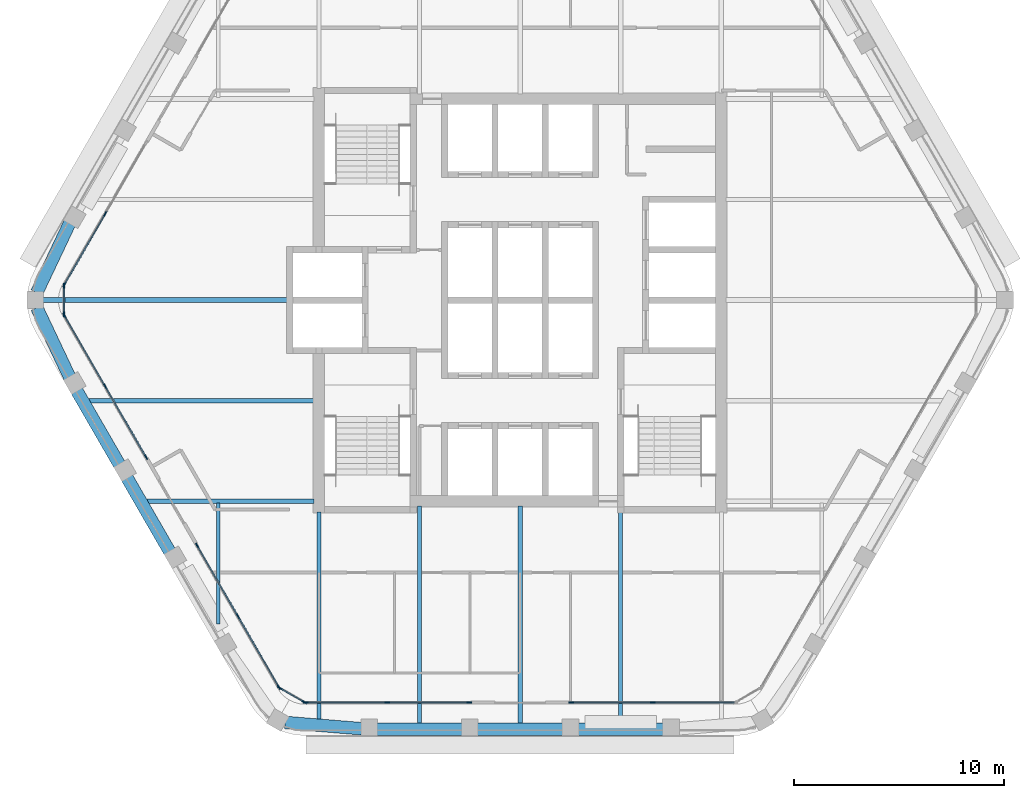
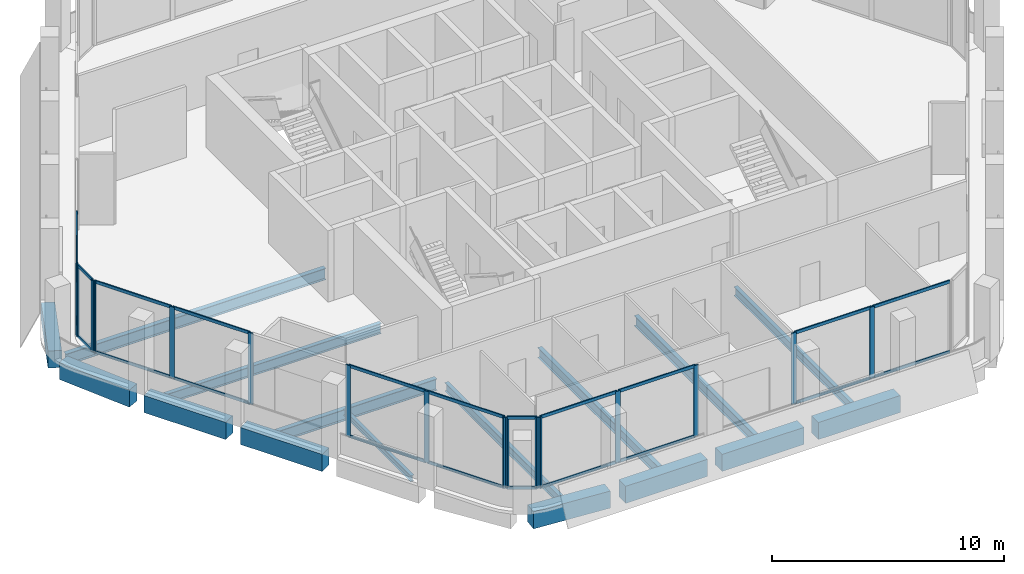
# One storey, part 2 of 13: 39 members, 16 beams, 7 elements without a shape of their own.
"""IFC4 building model written with IfcOpenShell, lengths in metres."""

from ifc_helpers import new_model, si_unit, direction, frame, origin, origin_2d, place, context, subcontext, project, spatial, rectangle, i_section, extrude, material, material_profile, profile_set, type_object, element, aggregate, save


model = new_model("IFC4")

# Units and contexts
model_context = context("Model", 3, precision=1e-05, world=origin(), true_north=direction((0.0, 1.0)))
body_context = subcontext(model_context, "Body", "Model", "MODEL_VIEW")
ifc_project = project(units=[si_unit("LENGTHUNIT", "METRE"), si_unit("AREAUNIT", "SQUARE_METRE"), si_unit("VOLUMEUNIT", "CUBIC_METRE"), si_unit("PLANEANGLEUNIT", "RADIAN"), si_unit("MASSUNIT", "GRAM", prefix="KILO")], contexts=[model_context])

# Site, building, storey
site_placement = place(None, origin())
site = spatial("IfcSite", under=ifc_project, at=site_placement, CompositionType="ELEMENT")
building_placement = place(site_placement, origin())
building = spatial("IfcBuilding", under=site, at=building_placement, Name="Kolab Exchange Tower", CompositionType="ELEMENT")
storey_placement = place(building_placement, frame((0.0, 0.0, 277.39990234375)))
storey = spatial("IfcBuildingStorey", under=building, at=storey_placement, Name="L62", CompositionType="ELEMENT", Elevation=277.39990234375)

# Beams
ifc_material_1 = material(Name="Steel S355", Category="steel")
ifc_material_profile_1 = material_profile(ifc_material_1, i_section(OverallWidth=0.1650390625, OverallDepth=0.31005859375, WebThickness=0.005859375, FlangeThickness=0.009765625, at=origin_2d()), Name="W310X39")
ifc_profile_set_1 = profile_set([ifc_material_profile_1], Name="Steel S355")
beam_type_1 = type_object("IfcBeamType", Name="FLOOR BEAM W310X39", PredefinedType="BEAM", material=ifc_profile_set_1)
beam_1_placement = place(storey_placement, frame((-14.39990234375, -15.4677734375, -0.304931640625), z_axis=(0.0, 1.0, 0.0), x_axis=(-1.0, 0.0, 0.0)))
element("IfcBeam", 1, at=beam_1_placement, inside=storey, type_object=beam_type_1, Name="beam/L62/fr/003", PredefinedType="BEAM", context=body_context, shape_type="SweptSolid", body=[
    extrude(i_section(OverallWidth=0.1650390625, OverallDepth=0.31005859375, WebThickness=0.005859375, FlangeThickness=0.009765625, at=origin_2d()), origin(), (0.0, 0.0, 1.0), 5.793701171875),
])
ifc_material_profile_2 = material_profile(ifc_material_1, i_section(OverallWidth=0.18994140625, OverallDepth=0.45703125, WebThickness=0.009033203125, FlangeThickness=0.014404296875, at=origin_2d()), Name="W460X74")
ifc_profile_set_2 = profile_set([ifc_material_profile_2], Name="Steel S355")
beam_type_2 = type_object("IfcBeamType", Name="FLOOR BEAM W460X74", PredefinedType="BEAM", material=ifc_profile_set_2)
beam_2_placement = place(storey_placement, frame((-9.60009765625, -20.027099609375, -0.37841796875), z_axis=(0.0, 1.0, 0.0), x_axis=(-1.0, 0.0, 0.0)))
element("IfcBeam", 2, at=beam_2_placement, inside=storey, type_object=beam_type_2, Name="beam/L62/fr/005", PredefinedType="BEAM", context=body_context, shape_type="SweptSolid", body=[
    extrude(i_section(OverallWidth=0.18994140625, OverallDepth=0.45703125, WebThickness=0.009033203125, FlangeThickness=0.014404296875, at=origin_2d()), origin(), (0.0, 0.0, 1.0), 9.9169921875),
])
beam_3_placement = place(storey_placement, frame((4.800048828125, -20.224609375, -0.37841796875), z_axis=(0.0, 1.0, 0.0), x_axis=(-1.0, 0.0, 0.0)))
element("IfcBeam", 3, at=beam_3_placement, inside=storey, type_object=beam_type_2, Name="beam/L62/fr/011", PredefinedType="BEAM", context=body_context, shape_type="SweptSolid", body=[
    extrude(i_section(OverallWidth=0.18994140625, OverallDepth=0.45703125, WebThickness=0.009033203125, FlangeThickness=0.014404296875, at=origin_2d()), origin(), (0.0, 0.0, 1.0), 10.114501953125),
])
ifc_material_profile_3 = material_profile(ifc_material_1, i_section(OverallWidth=0.208984375, OverallDepth=0.532958984375, WebThickness=0.01025390625, FlangeThickness=0.015625, at=origin_2d()), Name="W530X92")
ifc_profile_set_3 = profile_set([ifc_material_profile_3], Name="Steel S355")
beam_type_3 = type_object("IfcBeamType", Name="FLOOR BEAM W530X92", PredefinedType="BEAM", material=ifc_profile_set_3)
beam_4_placement = place(storey_placement, frame((-20.575927734375, -4.800048828125, -0.41650390625), z_axis=(1.0, 0.0, 0.0), x_axis=(0.0, 1.0, 0.0)))
element("IfcBeam", 4, at=beam_4_placement, inside=storey, type_object=beam_type_3, Name="beam/L62/fr/001", PredefinedType="BEAM", context=body_context, shape_type="SweptSolid", body=[
    extrude(i_section(OverallWidth=0.208984375, OverallDepth=0.532958984375, WebThickness=0.01025390625, FlangeThickness=0.015625, at=origin_2d()), origin(), (0.0, 0.0, 1.0), 10.740966796875),
])
for number, where, z_axis, x_axis, name in (
    (5, (-4.800048828125, -20.224609375, -0.41650390625), (0.0, 1.0, 0.0), (-1.0, 0.0, 0.0), "beam/L62/fr/007"),
    (6, (0.0, -20.224609375, -0.41650390625), (0.0, 1.0, 0.0), (-1.0, 0.0, 0.0), "beam/L62/fr/009"),
):
    element("IfcBeam", number, at=place(storey_placement, frame(where, z_axis=z_axis, x_axis=x_axis)), inside=storey, type_object=beam_type_3, Name=name, PredefinedType="BEAM", context=body_context, shape_type="SweptSolid", body=[
        extrude(i_section(OverallWidth=0.208984375, OverallDepth=0.532958984375, WebThickness=0.01025390625, FlangeThickness=0.015625, at=origin_2d()), origin(), (0.0, 0.0, 1.0), 10.3896484375),
    ])
ifc_material_profile_4 = material_profile(ifc_material_1, i_section(OverallWidth=0.22802734375, OverallDepth=0.60791015625, WebThickness=0.01123046875, FlangeThickness=0.017333984375, at=origin_2d()), Name="W610X113")
ifc_profile_set_4 = profile_set([ifc_material_profile_4], Name="Steel S355")
beam_type_4 = type_object("IfcBeamType", Name="FLOOR BEAM W610X113", PredefinedType="BEAM", material=ifc_profile_set_4)
beam_5_placement = place(storey_placement, frame((-22.77587890625, 0.0, -0.453857421875), z_axis=(1.0, 0.0, 0.0), x_axis=(0.0, 1.0, 0.0)))
element("IfcBeam", 7, at=beam_5_placement, inside=storey, type_object=beam_type_4, Name="beam/L62/fr/000", PredefinedType="BEAM", context=body_context, shape_type="SweptSolid", body=[
    extrude(i_section(OverallWidth=0.22802734375, OverallDepth=0.60791015625, WebThickness=0.01123046875, FlangeThickness=0.017333984375, at=origin_2d()), origin(), (0.0, 0.0, 1.0), 12.94091796875),
])
ifc_material_profile_5 = material_profile(ifc_material_1, i_section(OverallWidth=0.22802734375, OverallDepth=0.60791015625, WebThickness=0.01123046875, FlangeThickness=0.017333984375, at=origin_2d()), Name="W610X113")
ifc_profile_set_5 = profile_set([ifc_material_profile_5], Name="Steel S355")
beam_type_5 = type_object("IfcBeamType", Name="FLOOR GIRDER W610X113", PredefinedType="BEAM", material=ifc_profile_set_5)
beam_6_placement = place(storey_placement, frame((-17.8046875, -9.60009765625, -0.453857421875), z_axis=(1.0, 0.0, 0.0), x_axis=(0.0, 1.0, 0.0)))
element("IfcBeam", 8, at=beam_6_placement, inside=storey, type_object=beam_type_5, Name="beam/L62/gd/000", PredefinedType="BEAM", context=body_context, shape_type="SweptSolid", body=[
    extrude(i_section(OverallWidth=0.22802734375, OverallDepth=0.60791015625, WebThickness=0.01123046875, FlangeThickness=0.017333984375, at=origin_2d()), origin(), (0.0, 0.0, 1.0), 7.9697265625),
])
ifc_material_2 = material(Name="Concrete C50/60", Category="concrete")
ifc_material_profile_6 = material_profile(ifc_material_2, rectangle(XDim=0.60009765625, YDim=0.89990234375, at=origin_2d()), Name="RC600X900")
ifc_profile_set_6 = profile_set([ifc_material_profile_6], Name="Concrete C50/60")
beam_type_6 = type_object("IfcBeamType", Name="SPANDREL BEAM 600X900 C50/60", PredefinedType="BEAM", material=ifc_profile_set_6)
for number, where, z_axis, x_axis, name in (
    (9, (6.840087890625, -20.484619140625, -0.599853515625), (-1.0, 0.0, 0.0), (0.0, -1.0, 0.0), "beam/L62/sp/F4-02"),
    (10, (2.0400390625, -20.484619140625, -0.599853515625), (-1.0, 0.0, 0.0), (0.0, -1.0, 0.0), "beam/L62/sp/F4-03"),
    (11, (-2.760009765625, -20.484619140625, -0.599853515625), (-1.0, 0.0, 0.0), (0.0, -1.0, 0.0), "beam/L62/sp/F4-04"),
):
    element("IfcBeam", number, at=place(storey_placement, frame(where, z_axis=z_axis, x_axis=x_axis)), inside=storey, type_object=beam_type_6, Name=name, PredefinedType="BEAM", context=body_context, shape_type="SweptSolid", body=[
        extrude(rectangle(XDim=0.60009765625, YDim=0.89990234375, at=origin_2d()), origin(), (0.0, 0.0, 1.0), 4.080078125),
    ])
beam_7_placement = place(storey_placement, frame((-7.56005859375, -20.455078125, -0.599853515625), z_axis=(-0.996666751878, 0.081580547323, 0.0), x_axis=(-0.081580547323, -0.996666751878, 0.0)))
element("IfcBeam", 12, at=beam_7_placement, inside=storey, type_object=beam_type_6, Name="beam/L62/sp/F4-05", PredefinedType="BEAM", context=body_context, shape_type="SweptSolid", body=[
    extrude(rectangle(XDim=0.60009765625, YDim=0.89990234375, at=origin_2d()), origin(), (0.0, 0.0, 1.0), 3.6689453125),
])
for number, where, z_axis, x_axis, name in (
    (13, (-16.72021484375, -12.009033203125, -0.599853515625), (-0.500000428765, 0.866025156237, 0.0), (-0.866025156237, -0.500000428765, 0.0), "beam/L62/sp/F5-03"),
    (14, (-19.1201171875, -7.85205078125, -0.599853515625), (-0.500000428765, 0.866025156237, 0.0), (-0.866025156237, -0.500000428765, 0.0), "beam/L62/sp/F5-04"),
):
    element("IfcBeam", number, at=place(storey_placement, frame(where, z_axis=z_axis, x_axis=x_axis)), inside=storey, type_object=beam_type_6, Name=name, PredefinedType="BEAM", context=body_context, shape_type="SweptSolid", body=[
        extrude(rectangle(XDim=0.60009765625, YDim=0.89990234375, at=origin_2d()), origin(), (0.0, 0.0, 1.0), 4.080078125),
    ])
for number, where, z_axis, x_axis, name in (
    (15, (-21.49462890625, -3.68017578125, -0.599853515625), (-0.427677251998, 0.903931506323, 0.0), (-0.903931506323, -0.427677251998, 0.0), "beam/L62/sp/F5-05"),
    (16, (-23.063720703125, 0.36376953125, -0.599853515625), (0.427677251998, 0.903931506323, 0.0), (-0.903931506323, 0.427677251998, 0.0), "beam/L62/sp/F6-01"),
):
    element("IfcBeam", number, at=place(storey_placement, frame(where, z_axis=z_axis, x_axis=x_axis)), inside=storey, type_object=beam_type_6, Name=name, PredefinedType="BEAM", context=body_context, shape_type="SweptSolid", body=[
        extrude(rectangle(XDim=0.60009765625, YDim=0.89990234375, at=origin_2d()), origin(), (0.0, 0.0, 1.0), 3.6689453125),
    ])

# Curtain wall, members
ifc_material_3 = material(Name="Aluminium EN AW-6063 T6", Category="aluminium")
curtain_wall_type = type_object("IfcCurtainWallType", Name="UNITISED HIGH ZONE CURTAIN WALL", PredefinedType="NOTDEFINED", material=ifc_material_3)
curtain_wall_1_placement = place(storey_placement, origin())
curtain_wall_1 = element("IfcCurtainWall", 17, at=curtain_wall_1_placement, inside=storey, type_object=curtain_wall_type, Name="cw/L62/F4-1", PredefinedType="NOTDEFINED")
ifc_material_profile_7 = material_profile(ifc_material_3, rectangle(XDim=0.06005859375, YDim=0.239990234375, at=origin_2d()), Name="RECT 60X240")
ifc_profile_set_7 = profile_set([ifc_material_profile_7], Name="Aluminium EN AW-6063 T6")
member_type_1 = type_object("IfcMemberType", Name="UNITISED HIGH ZONE MULLION 60 X 240", PredefinedType="MULLION", material=ifc_profile_set_7)
member_1_placement = place(storey_placement, frame((6.333984375, -19.20458984375, 0.0), z_axis=(0.0, 0.0, 1.0), x_axis=(0.0, -1.0, 0.0)))
member_1 = element("IfcMember", 18, at=member_1_placement, type_object=member_type_1, Name="CW4 mullion 2", PredefinedType="MULLION", context=body_context, shape_type="SweptSolid", body=[
    extrude(rectangle(XDim=0.06005859375, YDim=0.239990234375, at=origin_2d()), origin(), (0.0, 0.0, 1.0), 3.75),
])
member_2_placement = place(storey_placement, frame((2.429931640625, -19.20458984375, 0.0), z_axis=(0.0, 0.0, 1.0), x_axis=(0.0, -1.0, 0.0)))
member_2 = element("IfcMember", 19, at=member_2_placement, type_object=member_type_1, Name="CW4 mullion 3", PredefinedType="MULLION", context=body_context, shape_type="SweptSolid", body=[
    extrude(rectangle(XDim=0.06005859375, YDim=0.239990234375, at=origin_2d()), origin(), (0.0, 0.0, 1.0), 3.75),
])

curtain_wall_2_placement = place(storey_placement, origin())
curtain_wall_2 = element("IfcCurtainWall", 20, at=curtain_wall_2_placement, inside=storey, type_object=curtain_wall_type, Name="cw/L62/F4-2", PredefinedType="NOTDEFINED")
member_3_placement = place(storey_placement, frame((-2.429931640625, -19.20458984375, 0.0), z_axis=(0.0, 0.0, 1.0), x_axis=(0.0, -1.0, 0.0)))
member_3 = element("IfcMember", 21, at=member_3_placement, type_object=member_type_1, Name="CW4 mullion 1", PredefinedType="MULLION", context=body_context, shape_type="SweptSolid", body=[
    extrude(rectangle(XDim=0.06005859375, YDim=0.239990234375, at=origin_2d()), origin(), (0.0, 0.0, 1.0), 3.75),
])
member_4_placement = place(storey_placement, frame((-6.333984375, -19.20458984375, 0.0), z_axis=(0.0, 0.0, 1.0), x_axis=(0.0, -1.0, 0.0)))
member_4 = element("IfcMember", 22, at=member_4_placement, type_object=member_type_1, Name="CW4 mullion 2", PredefinedType="MULLION", context=body_context, shape_type="SweptSolid", body=[
    extrude(rectangle(XDim=0.06005859375, YDim=0.239990234375, at=origin_2d()), origin(), (0.0, 0.0, 1.0), 3.75),
])
member_5_placement = place(storey_placement, frame((-10.238037109375, -19.20458984375, 0.0), z_axis=(0.0, 0.0, 1.0), x_axis=(0.0, -1.0, 0.0)))
member_5 = element("IfcMember", 23, at=member_5_placement, type_object=member_type_1, Name="CW4 mullion 3", PredefinedType="MULLION", context=body_context, shape_type="SweptSolid", body=[
    extrude(rectangle(XDim=0.06005859375, YDim=0.239990234375, at=origin_2d()), origin(), (0.0, 0.0, 1.0), 3.75),
])

curtain_wall_3_placement = place(storey_placement, origin())
curtain_wall_3 = element("IfcCurtainWall", 24, at=curtain_wall_3_placement, inside=storey, type_object=curtain_wall_type, Name="cw/L62/F5-1", PredefinedType="NOTDEFINED")
member_6_placement = place(storey_placement, frame((-11.5126953125, -18.46875, 0.0), z_axis=(0.0, 0.0, 1.0), x_axis=(-0.866025385493, -0.500000031681, 0.0)))
member_6 = element("IfcMember", 25, at=member_6_placement, type_object=member_type_1, Name="CW4 mullion 1", PredefinedType="MULLION", context=body_context, shape_type="SweptSolid", body=[
    extrude(rectangle(XDim=0.06005859375, YDim=0.239990234375, at=origin_2d()), origin(), (0.0, 0.0, 1.0), 3.75),
])
member_7_placement = place(storey_placement, frame((-13.464599609375, -15.087646484375, 0.0), z_axis=(0.0, 0.0, 1.0), x_axis=(-0.866025385493, -0.500000031681, 0.0)))
member_7 = element("IfcMember", 26, at=member_7_placement, type_object=member_type_1, Name="CW4 mullion 2", PredefinedType="MULLION", context=body_context, shape_type="SweptSolid", body=[
    extrude(rectangle(XDim=0.06005859375, YDim=0.239990234375, at=origin_2d()), origin(), (0.0, 0.0, 1.0), 3.75),
])
member_8_placement = place(storey_placement, frame((-15.416748046875, -11.706787109375, 0.0), z_axis=(0.0, 0.0, 1.0), x_axis=(-0.866025385493, -0.500000031681, 0.0)))
member_8 = element("IfcMember", 27, at=member_8_placement, type_object=member_type_1, Name="CW4 mullion 3", PredefinedType="MULLION", context=body_context, shape_type="SweptSolid", body=[
    extrude(rectangle(XDim=0.06005859375, YDim=0.239990234375, at=origin_2d()), origin(), (0.0, 0.0, 1.0), 3.75),
])

curtain_wall_4_placement = place(storey_placement, origin())
curtain_wall_4 = element("IfcCurtainWall", 28, at=curtain_wall_4_placement, inside=storey, type_object=curtain_wall_type, Name="cw/L62/F5-2", PredefinedType="NOTDEFINED")
member_9_placement = place(storey_placement, frame((-17.8466796875, -7.497802734375, 0.0), z_axis=(0.0, 0.0, 1.0), x_axis=(-0.866025440524, -0.499999936366, 0.0)))
member_9 = element("IfcMember", 29, at=member_9_placement, type_object=member_type_1, Name="CW4 mullion 1", PredefinedType="MULLION", context=body_context, shape_type="SweptSolid", body=[
    extrude(rectangle(XDim=0.06005859375, YDim=0.239990234375, at=origin_2d()), origin(), (0.0, 0.0, 1.0), 3.75),
])
member_10_placement = place(storey_placement, frame((-19.798583984375, -4.116943359375, 0.0), z_axis=(0.0, 0.0, 1.0), x_axis=(-0.866025440524, -0.499999936366, 0.0)))
member_10 = element("IfcMember", 30, at=member_10_placement, type_object=member_type_1, Name="CW4 mullion 2", PredefinedType="MULLION", context=body_context, shape_type="SweptSolid", body=[
    extrude(rectangle(XDim=0.06005859375, YDim=0.239990234375, at=origin_2d()), origin(), (0.0, 0.0, 1.0), 3.75),
])
member_11_placement = place(storey_placement, frame((-21.750732421875, -0.736083984375, 0.0), z_axis=(0.0, 0.0, 1.0), x_axis=(-0.866025440524, -0.499999936366, 0.0)))
member_11 = element("IfcMember", 31, at=member_11_placement, type_object=member_type_1, Name="CW4 mullion 3", PredefinedType="MULLION", context=body_context, shape_type="SweptSolid", body=[
    extrude(rectangle(XDim=0.06005859375, YDim=0.239990234375, at=origin_2d()), origin(), (0.0, 0.0, 1.0), 3.75),
])

curtain_wall_5_placement = place(storey_placement, origin())
curtain_wall_5 = element("IfcCurtainWall", 32, at=curtain_wall_5_placement, inside=storey, type_object=curtain_wall_type, Name="cw/L62/F6-1", PredefinedType="NOTDEFINED")
member_12_placement = place(storey_placement, frame((-21.750732421875, 0.736083984375, 0.0), z_axis=(0.0, 0.0, 1.0), x_axis=(-0.866025440524, 0.499999936366, 0.0)))
member_12 = element("IfcMember", 33, at=member_12_placement, type_object=member_type_1, Name="CW4 mullion 1", PredefinedType="MULLION", context=body_context, shape_type="SweptSolid", body=[
    extrude(rectangle(XDim=0.06005859375, YDim=0.239990234375, at=origin_2d()), origin(), (0.0, 0.0, 1.0), 3.75),
])
member_13_placement = place(storey_placement, frame((-19.798583984375, 4.116943359375, 0.0), z_axis=(0.0, 0.0, 1.0), x_axis=(-0.866025440524, 0.499999936366, 0.0)))
member_13 = element("IfcMember", 34, at=member_13_placement, type_object=member_type_1, Name="CW4 mullion 2", PredefinedType="MULLION", context=body_context, shape_type="SweptSolid", body=[
    extrude(rectangle(XDim=0.06005859375, YDim=0.239990234375, at=origin_2d()), origin(), (0.0, 0.0, 1.0), 3.75),
])

curtain_wall_6_placement = place(storey_placement, origin())
curtain_wall_6 = element("IfcCurtainWall", 35, at=curtain_wall_6_placement, inside=storey, type_object=curtain_wall_type, Name="cw/L62/F4F5-corner", PredefinedType="NOTDEFINED")
member_14_placement = place(storey_placement, frame((-10.2939453125, -19.189697265625, 0.0), z_axis=(0.0, 0.0, 1.0), x_axis=(-0.50000002237, -0.866025390869, 0.0)))
member_14 = element("IfcMember", 36, at=member_14_placement, type_object=member_type_1, Name="CW4 mullion 1", PredefinedType="MULLION", context=body_context, shape_type="SweptSolid", body=[
    extrude(rectangle(XDim=0.06005859375, YDim=0.239990234375, at=origin_2d()), origin(), (0.0, 0.0, 1.0), 3.75),
])
member_15_placement = place(storey_placement, frame((-11.4716796875, -18.509521484375, 0.0), z_axis=(0.0, 0.0, 1.0), x_axis=(-0.50000002237, -0.866025390869, 0.0)))
member_15 = element("IfcMember", 37, at=member_15_placement, type_object=member_type_1, Name="CW4 mullion 2", PredefinedType="MULLION", context=body_context, shape_type="SweptSolid", body=[
    extrude(rectangle(XDim=0.06005859375, YDim=0.239990234375, at=origin_2d()), origin(), (0.0, 0.0, 1.0), 3.75),
])

curtain_wall_7_placement = place(storey_placement, origin())
curtain_wall_7 = element("IfcCurtainWall", 38, at=curtain_wall_7_placement, inside=storey, type_object=curtain_wall_type, Name="cw/L62/F5F6-corner", PredefinedType="NOTDEFINED")
member_16_placement = place(storey_placement, frame((-21.765625, -0.679931640625, 0.0), z_axis=(0.0, 0.0, 1.0), x_axis=(-1.0, 0.0, 0.0)))
member_16 = element("IfcMember", 39, at=member_16_placement, type_object=member_type_1, Name="CW4 mullion 1", PredefinedType="MULLION", context=body_context, shape_type="SweptSolid", body=[
    extrude(rectangle(XDim=0.06005859375, YDim=0.239990234375, at=origin_2d()), origin(), (0.0, 0.0, 1.0), 3.75),
])
member_17_placement = place(storey_placement, frame((-21.765625, 0.679931640625, 0.0), z_axis=(0.0, 0.0, 1.0), x_axis=(-1.0, 0.0, 0.0)))
member_17 = element("IfcMember", 40, at=member_17_placement, type_object=member_type_1, Name="CW4 mullion 2", PredefinedType="MULLION", context=body_context, shape_type="SweptSolid", body=[
    extrude(rectangle(XDim=0.06005859375, YDim=0.239990234375, at=origin_2d()), origin(), (0.0, 0.0, 1.0), 3.75),
])

# Member
ifc_material_profile_8 = material_profile(ifc_material_3, rectangle(XDim=0.06005859375, YDim=0.159912109375, at=origin_2d()), Name="RECT 60X160")
ifc_profile_set_8 = profile_set([ifc_material_profile_8], Name="Aluminium EN AW-6063 T6")
member_type_2 = type_object("IfcMemberType", Name="UNITISED HIGH ZONE TRANSOM 60 X 160", PredefinedType="USERDEFINED", material=ifc_profile_set_8)
member_18_placement = place(storey_placement, frame((10.2080078125, -19.20458984375, 0.030029296875), z_axis=(-1.0, 0.0, 0.0), x_axis=(0.0, -1.0, 0.0)))
member_18 = element("IfcMember", 41, at=member_18_placement, type_object=member_type_2, Name="CW4 transom 1.1", ObjectType="TRANSOM", PredefinedType="USERDEFINED", context=body_context, shape_type="SweptSolid", body=[
    extrude(rectangle(XDim=0.06005859375, YDim=0.159912109375, at=origin_2d()), origin(), (0.0, 0.0, 1.0), 3.843994140625),
])

member_19_placement = place(storey_placement, frame((10.2080078125, -19.20458984375, 3.72021484375), z_axis=(-1.0, 0.0, 0.0), x_axis=(0.0, -1.0, 0.0)))
member_19 = element("IfcMember", 42, at=member_19_placement, type_object=member_type_2, Name="CW4 transom 1.2", ObjectType="TRANSOM", PredefinedType="USERDEFINED", context=body_context, shape_type="SweptSolid", body=[
    extrude(rectangle(XDim=0.06005859375, YDim=0.159912109375, at=origin_2d()), origin(), (0.0, 0.0, 1.0), 3.843994140625),
])

member_20_placement = place(storey_placement, frame((6.303955078125, -19.20458984375, 0.030029296875), z_axis=(-1.0, 0.0, 0.0), x_axis=(0.0, -1.0, 0.0)))
member_20 = element("IfcMember", 43, at=member_20_placement, type_object=member_type_2, Name="CW4 transom 2.1", ObjectType="TRANSOM", PredefinedType="USERDEFINED", context=body_context, shape_type="SweptSolid", body=[
    extrude(rectangle(XDim=0.06005859375, YDim=0.159912109375, at=origin_2d()), origin(), (0.0, 0.0, 1.0), 3.843994140625),
])

member_21_placement = place(storey_placement, frame((6.303955078125, -19.20458984375, 3.72021484375), z_axis=(-1.0, 0.0, 0.0), x_axis=(0.0, -1.0, 0.0)))
member_21 = element("IfcMember", 44, at=member_21_placement, type_object=member_type_2, Name="CW4 transom 2.2", ObjectType="TRANSOM", PredefinedType="USERDEFINED", context=body_context, shape_type="SweptSolid", body=[
    extrude(rectangle(XDim=0.06005859375, YDim=0.159912109375, at=origin_2d()), origin(), (0.0, 0.0, 1.0), 3.843994140625),
])

aggregate(curtain_wall_1, [member_1, member_2, member_18, member_19, member_20, member_21])

member_22_placement = place(storey_placement, frame((-2.4599609375, -19.20458984375, 0.030029296875), z_axis=(-1.0, 0.0, 0.0), x_axis=(0.0, -1.0, 0.0)))
member_22 = element("IfcMember", 45, at=member_22_placement, type_object=member_type_2, Name="CW4 transom 1.1", ObjectType="TRANSOM", PredefinedType="USERDEFINED", context=body_context, shape_type="SweptSolid", body=[
    extrude(rectangle(XDim=0.06005859375, YDim=0.159912109375, at=origin_2d()), origin(), (0.0, 0.0, 1.0), 3.843994140625),
])

member_23_placement = place(storey_placement, frame((-2.4599609375, -19.20458984375, 3.72021484375), z_axis=(-1.0, 0.0, 0.0), x_axis=(0.0, -1.0, 0.0)))
member_23 = element("IfcMember", 46, at=member_23_placement, type_object=member_type_2, Name="CW4 transom 1.2", ObjectType="TRANSOM", PredefinedType="USERDEFINED", context=body_context, shape_type="SweptSolid", body=[
    extrude(rectangle(XDim=0.06005859375, YDim=0.159912109375, at=origin_2d()), origin(), (0.0, 0.0, 1.0), 3.843994140625),
])

member_24_placement = place(storey_placement, frame((-6.364013671875, -19.20458984375, 0.030029296875), z_axis=(-1.0, 0.0, 0.0), x_axis=(0.0, -1.0, 0.0)))
member_24 = element("IfcMember", 47, at=member_24_placement, type_object=member_type_2, Name="CW4 transom 2.1", ObjectType="TRANSOM", PredefinedType="USERDEFINED", context=body_context, shape_type="SweptSolid", body=[
    extrude(rectangle(XDim=0.06005859375, YDim=0.159912109375, at=origin_2d()), origin(), (0.0, 0.0, 1.0), 3.843994140625),
])

member_25_placement = place(storey_placement, frame((-6.364013671875, -19.20458984375, 3.72021484375), z_axis=(-1.0, 0.0, 0.0), x_axis=(0.0, -1.0, 0.0)))
member_25 = element("IfcMember", 48, at=member_25_placement, type_object=member_type_2, Name="CW4 transom 2.2", ObjectType="TRANSOM", PredefinedType="USERDEFINED", context=body_context, shape_type="SweptSolid", body=[
    extrude(rectangle(XDim=0.06005859375, YDim=0.159912109375, at=origin_2d()), origin(), (0.0, 0.0, 1.0), 3.843994140625),
])

aggregate(curtain_wall_2, [member_3, member_4, member_5, member_22, member_23, member_24, member_25])

member_26_placement = place(storey_placement, frame((-11.527587890625, -18.442626953125, 0.030029296875), z_axis=(-0.500039492609, 0.866002601515, 0.0), x_axis=(-0.866002601515, -0.500039492609, 0.0)))
member_26 = element("IfcMember", 49, at=member_26_placement, type_object=member_type_2, Name="CW4 transom 1.1", ObjectType="TRANSOM", PredefinedType="USERDEFINED", context=body_context, shape_type="SweptSolid", body=[
    extrude(rectangle(XDim=0.06005859375, YDim=0.159912109375, at=origin_2d()), origin(), (0.0, 0.0, 1.0), 3.843994140625),
])

member_27_placement = place(storey_placement, frame((-11.527587890625, -18.442626953125, 3.72021484375), z_axis=(-0.500039492609, 0.866002601515, 0.0), x_axis=(-0.866002601515, -0.500039492609, 0.0)))
member_27 = element("IfcMember", 50, at=member_27_placement, type_object=member_type_2, Name="CW4 transom 1.2", ObjectType="TRANSOM", PredefinedType="USERDEFINED", context=body_context, shape_type="SweptSolid", body=[
    extrude(rectangle(XDim=0.06005859375, YDim=0.159912109375, at=origin_2d()), origin(), (0.0, 0.0, 1.0), 3.843994140625),
])

member_28_placement = place(storey_placement, frame((-13.479736328125, -15.061767578125, 0.030029296875), z_axis=(-0.499964356602, 0.866045981532, 0.0), x_axis=(-0.866045981532, -0.499964356602, 0.0)))
member_28 = element("IfcMember", 51, at=member_28_placement, type_object=member_type_2, Name="CW4 transom 2.1", ObjectType="TRANSOM", PredefinedType="USERDEFINED", context=body_context, shape_type="SweptSolid", body=[
    extrude(rectangle(XDim=0.06005859375, YDim=0.159912109375, at=origin_2d()), origin(), (0.0, 0.0, 1.0), 3.843994140625),
])

member_29_placement = place(storey_placement, frame((-13.479736328125, -15.061767578125, 3.72021484375), z_axis=(-0.499964356602, 0.866045981532, 0.0), x_axis=(-0.866045981532, -0.499964356602, 0.0)))
member_29 = element("IfcMember", 52, at=member_29_placement, type_object=member_type_2, Name="CW4 transom 2.2", ObjectType="TRANSOM", PredefinedType="USERDEFINED", context=body_context, shape_type="SweptSolid", body=[
    extrude(rectangle(XDim=0.06005859375, YDim=0.159912109375, at=origin_2d()), origin(), (0.0, 0.0, 1.0), 3.843994140625),
])

aggregate(curtain_wall_3, [member_6, member_7, member_8, member_26, member_27, member_28, member_29])

member_30_placement = place(storey_placement, frame((-17.861572265625, -7.471923828125, 0.030029296875), z_axis=(-0.500011990396, 0.866018481016, 0.0), x_axis=(-0.866018481016, -0.500011990396, 0.0)))
member_30 = element("IfcMember", 53, at=member_30_placement, type_object=member_type_2, Name="CW4 transom 1.1", ObjectType="TRANSOM", PredefinedType="USERDEFINED", context=body_context, shape_type="SweptSolid", body=[
    extrude(rectangle(XDim=0.06005859375, YDim=0.159912109375, at=origin_2d()), origin(), (0.0, 0.0, 1.0), 3.84423828125),
])

member_31_placement = place(storey_placement, frame((-17.861572265625, -7.471923828125, 3.72021484375), z_axis=(-0.500011990396, 0.866018481016, 0.0), x_axis=(-0.866018481016, -0.500011990396, 0.0)))
member_31 = element("IfcMember", 54, at=member_31_placement, type_object=member_type_2, Name="CW4 transom 1.2", ObjectType="TRANSOM", PredefinedType="USERDEFINED", context=body_context, shape_type="SweptSolid", body=[
    extrude(rectangle(XDim=0.06005859375, YDim=0.159912109375, at=origin_2d()), origin(), (0.0, 0.0, 1.0), 3.84423828125),
])

member_32_placement = place(storey_placement, frame((-19.813720703125, -4.0908203125, 0.030029296875), z_axis=(-0.499991857942, 0.866030104553, 0.0), x_axis=(-0.866030104553, -0.499991857942, 0.0)))
member_32 = element("IfcMember", 55, at=member_32_placement, type_object=member_type_2, Name="CW4 transom 2.1", ObjectType="TRANSOM", PredefinedType="USERDEFINED", context=body_context, shape_type="SweptSolid", body=[
    extrude(rectangle(XDim=0.06005859375, YDim=0.159912109375, at=origin_2d()), origin(), (0.0, 0.0, 1.0), 3.84375),
])

member_33_placement = place(storey_placement, frame((-19.813720703125, -4.0908203125, 3.72021484375), z_axis=(-0.499991857942, 0.866030104553, 0.0), x_axis=(-0.866030104553, -0.499991857942, 0.0)))
member_33 = element("IfcMember", 56, at=member_33_placement, type_object=member_type_2, Name="CW4 transom 2.2", ObjectType="TRANSOM", PredefinedType="USERDEFINED", context=body_context, shape_type="SweptSolid", body=[
    extrude(rectangle(XDim=0.06005859375, YDim=0.159912109375, at=origin_2d()), origin(), (0.0, 0.0, 1.0), 3.84375),
])

aggregate(curtain_wall_4, [member_9, member_10, member_11, member_30, member_31, member_32, member_33])

member_34_placement = place(storey_placement, frame((-21.735595703125, 0.761962890625, 0.030029296875), z_axis=(0.499991857942, 0.866030104553, 0.0), x_axis=(-0.866030104553, 0.499991857942, 0.0)))
member_34 = element("IfcMember", 57, at=member_34_placement, type_object=member_type_2, Name="CW4 transom 1.1", ObjectType="TRANSOM", PredefinedType="USERDEFINED", context=body_context, shape_type="SweptSolid", body=[
    extrude(rectangle(XDim=0.06005859375, YDim=0.159912109375, at=origin_2d()), origin(), (0.0, 0.0, 1.0), 3.84375),
])

member_35_placement = place(storey_placement, frame((-21.735595703125, 0.761962890625, 3.72021484375), z_axis=(0.499991857942, 0.866030104553, 0.0), x_axis=(-0.866030104553, 0.499991857942, 0.0)))
member_35 = element("IfcMember", 58, at=member_35_placement, type_object=member_type_2, Name="CW4 transom 1.2", ObjectType="TRANSOM", PredefinedType="USERDEFINED", context=body_context, shape_type="SweptSolid", body=[
    extrude(rectangle(XDim=0.06005859375, YDim=0.159912109375, at=origin_2d()), origin(), (0.0, 0.0, 1.0), 3.84375),
])

aggregate(curtain_wall_5, [member_12, member_13, member_34, member_35])

member_36_placement = place(storey_placement, frame((-10.31982421875, -19.174560546875, 0.030029296875), z_axis=(-0.866085525409, 0.49989585183, 0.0), x_axis=(-0.49989585183, -0.866085525409, 0.0)))
member_36 = element("IfcMember", 59, at=member_36_placement, type_object=member_type_2, Name="CW4 transom 1.1", ObjectType="TRANSOM", PredefinedType="USERDEFINED", context=body_context, shape_type="SweptSolid", body=[
    extrude(rectangle(XDim=0.06005859375, YDim=0.159912109375, at=origin_2d()), origin(), (0.0, 0.0, 1.0), 1.300048828125),
])

member_37_placement = place(storey_placement, frame((-10.31982421875, -19.174560546875, 3.72021484375), z_axis=(-0.866085525409, 0.49989585183, 0.0), x_axis=(-0.49989585183, -0.866085525409, 0.0)))
member_37 = element("IfcMember", 60, at=member_37_placement, type_object=member_type_2, Name="CW4 transom 1.2", ObjectType="TRANSOM", PredefinedType="USERDEFINED", context=body_context, shape_type="SweptSolid", body=[
    extrude(rectangle(XDim=0.06005859375, YDim=0.159912109375, at=origin_2d()), origin(), (0.0, 0.0, 1.0), 1.300048828125),
])

aggregate(curtain_wall_6, [member_14, member_15, member_36, member_37])

member_38_placement = place(storey_placement, frame((-21.765625, -0.64990234375, 0.030029296875), z_axis=(0.0, 1.0, 0.0), x_axis=(-1.0, 0.0, 0.0)))
member_38 = element("IfcMember", 61, at=member_38_placement, type_object=member_type_2, Name="CW4 transom 1.1", ObjectType="TRANSOM", PredefinedType="USERDEFINED", context=body_context, shape_type="SweptSolid", body=[
    extrude(rectangle(XDim=0.06005859375, YDim=0.159912109375, at=origin_2d()), origin(), (0.0, 0.0, 1.0), 1.2998046875),
])

member_39_placement = place(storey_placement, frame((-21.765625, -0.64990234375, 3.72021484375), z_axis=(0.0, 1.0, 0.0), x_axis=(-1.0, 0.0, 0.0)))
member_39 = element("IfcMember", 62, at=member_39_placement, type_object=member_type_2, Name="CW4 transom 1.2", ObjectType="TRANSOM", PredefinedType="USERDEFINED", context=body_context, shape_type="SweptSolid", body=[
    extrude(rectangle(XDim=0.06005859375, YDim=0.159912109375, at=origin_2d()), origin(), (0.0, 0.0, 1.0), 1.2998046875),
])

aggregate(curtain_wall_7, [member_16, member_17, member_38, member_39])

save(model, "model.ifc")
